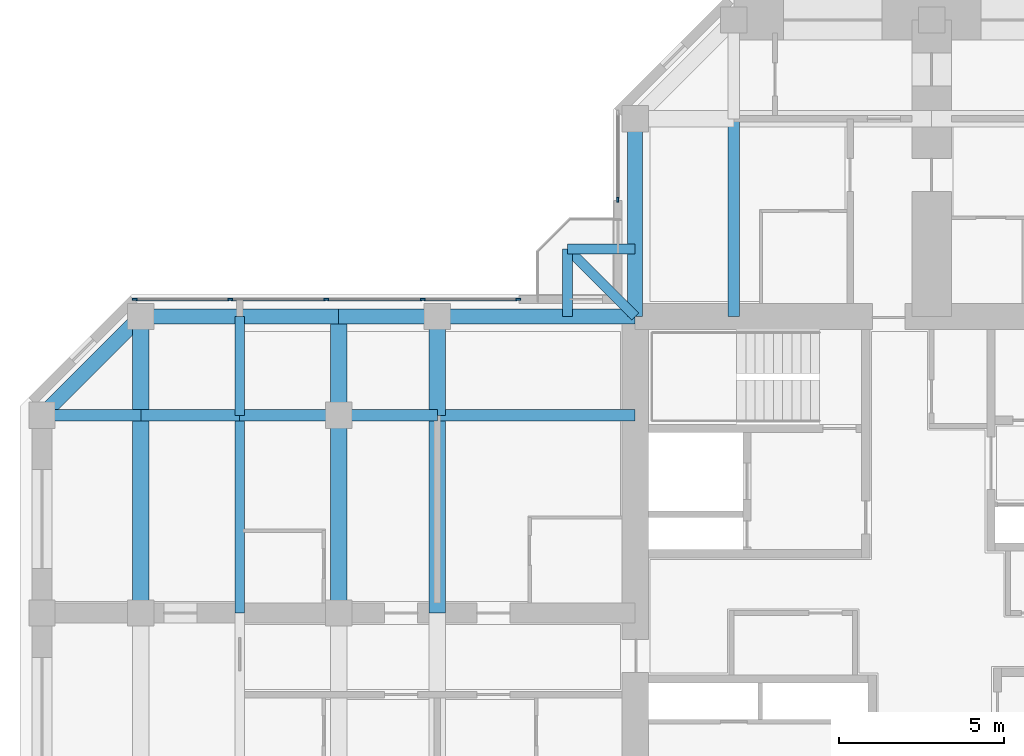
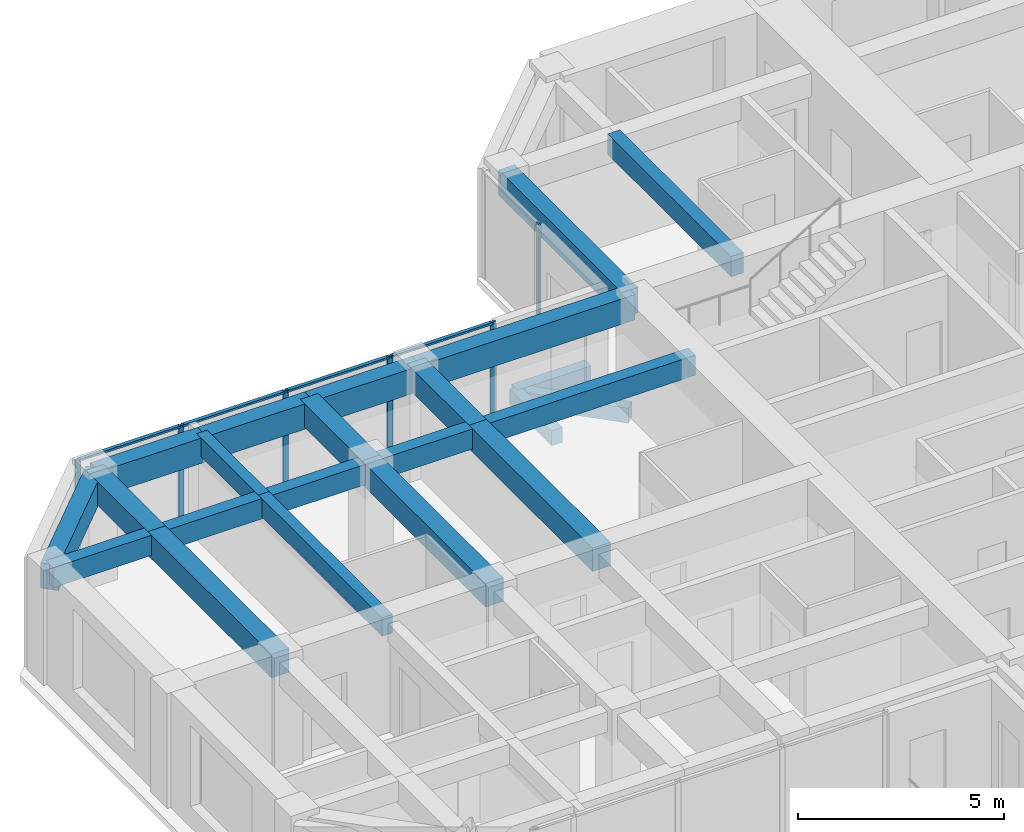
# One storey, part 4 of 14: 23 beams, 10 members, 2 elements without a shape of their own.
"""IFC4 building model written with IfcOpenShell, lengths in metres."""

from ifc_helpers import new_model, si_unit, direction, frame, origin, origin_2d, place, context, subcontext, project, spatial, rectangle, extrude, material, material_profile, profile_set, type_object, element, aggregate, save


model = new_model("IFC4")

# Units and contexts
model_context = context("Model", 3, precision=1e-05, world=origin(), true_north=direction((0.0, 1.0)))
body_context = subcontext(model_context, "Body", "Model", "MODEL_VIEW")
ifc_project = project(units=[si_unit("LENGTHUNIT", "METRE"), si_unit("AREAUNIT", "SQUARE_METRE"), si_unit("VOLUMEUNIT", "CUBIC_METRE"), si_unit("PLANEANGLEUNIT", "RADIAN"), si_unit("MASSUNIT", "GRAM", prefix="KILO")], contexts=[model_context])

# Site, building, storey
site_placement = place(None, origin())
site = spatial("IfcSite", under=ifc_project, at=site_placement, CompositionType="ELEMENT")
building_placement = place(site_placement, origin())
building = spatial("IfcBuilding", under=site, at=building_placement, Name="Torre Cruceta", CompositionType="ELEMENT")
storey_placement = place(building_placement, frame((0.0, 0.0, 225.5)))
storey = spatial("IfcBuildingStorey", under=building, at=storey_placement, Name="L57", CompositionType="ELEMENT", Elevation=225.5)

# Beams
ifc_material_1 = material(Name="Concrete G60 (fck 60 MPa)", Category="concrete")
ifc_material_profile_1 = material_profile(ifc_material_1, rectangle(XDim=0.300048828125, YDim=0.449951171875, at=origin_2d()), Name="RC 300X450")
ifc_profile_set_1 = profile_set([ifc_material_profile_1], Name="Concrete G60 (fck 60 MPa)")
beam_type_1 = type_object("IfcBeamType", Name="BALCONY CANTILEVER BEAM RC 300X450", PredefinedType="BEAM", material=ifc_profile_set_1)
beam_1_placement = place(storey_placement, frame((-9.0, 9.0, -0.405029296875), z_axis=(-0.707106781187, 0.707106781187, 0.0), x_axis=(-0.707106781187, -0.707106781187, 0.0)))
element("IfcBeam", 1, at=beam_1_placement, inside=storey, type_object=beam_type_1, Name="BB1 balcony beam L57 N", PredefinedType="BEAM", context=body_context, shape_type="SweptSolid", body=[
    extrude(rectangle(XDim=0.300048828125, YDim=0.449951171875, at=origin_2d()), origin(), (0.0, 0.0, 1.0), 2.89990234375),
])
for number, where, z_axis, x_axis, name in (
    (2, (-11.050537109375, 9.0, -0.405029296875), (0.0, 1.0, 0.0), (-1.0, 0.0, 0.0), "BB1 balcony edge beam L57 N-X"),
    (3, (-9.0, 11.050537109375, -0.405029296875), (-1.0, 0.0, 0.0), (0.0, -1.0, 0.0), "BB1 balcony edge beam L57 N-Y"),
):
    element("IfcBeam", number, at=place(storey_placement, frame(where, z_axis=z_axis, x_axis=x_axis)), inside=storey, type_object=beam_type_1, Name=name, PredefinedType="BEAM", context=body_context, shape_type="SweptSolid", body=[
        extrude(rectangle(XDim=0.300048828125, YDim=0.449951171875, at=origin_2d()), origin(), (0.0, 0.0, 1.0), 2.050537109375),
    ])
ifc_material_2 = material(Name="Concrete G60 (fck 60 MPa)", Category="concrete")
ifc_material_profile_2 = material_profile(ifc_material_2, rectangle(XDim=0.35009765625, YDim=0.60009765625, at=origin_2d()), Name="RC 350X600")
ifc_profile_set_2 = profile_set([ifc_material_profile_2], Name="Concrete G60 (fck 60 MPa)")
beam_type_2 = type_object("IfcBeamType", Name="COLUMN LINE BEAM RC 350X600", PredefinedType="BEAM", material=ifc_profile_set_2)
for number, where, z_axis, x_axis, name in (
    (4, (-6.0, 9.0, 2.919921875), (0.0, 1.0, 0.0), (-1.0, 0.0, 0.0), "LB9 L57 N col+ 1"),
    (5, (-9.0, 6.0, 2.919921875), (-1.0, 0.0, 0.0), (0.0, -1.0, 0.0), "LB9 L57 W col- 1"),
):
    element("IfcBeam", number, at=place(storey_placement, frame(where, z_axis=z_axis, x_axis=x_axis)), inside=storey, type_object=beam_type_2, Name=name, PredefinedType="BEAM", context=body_context, shape_type="SweptSolid", body=[
        extrude(rectangle(XDim=0.35009765625, YDim=0.60009765625, at=origin_2d()), origin(), (0.0, 0.0, 1.0), 6.0),
    ])
for number, where, z_axis, x_axis, name in (
    (6, (-15.0, 6.0, 2.919921875), (-1.0, 0.0, 0.0), (0.0, -1.0, 0.0), "LB9 L57 W col- 2"),
    (7, (-18.0, 6.0, 2.919921875), (-1.0, 0.0, 0.0), (0.0, -1.0, 0.0), "LB9 L57 W col- 3"),
    (8, (-21.0, 6.0, 2.919921875), (-1.0, 0.0, 0.0), (0.0, -1.0, 0.0), "LB9 L57 W col- 4"),
    (9, (-24.0, 6.0, 2.919921875), (-1.0, 0.0, 0.0), (0.0, -1.0, 0.0), "LB9 L57 W col- 5"),
):
    element("IfcBeam", number, at=place(storey_placement, frame(where, z_axis=z_axis, x_axis=x_axis)), inside=storey, type_object=beam_type_2, Name=name, PredefinedType="BEAM", context=body_context, shape_type="SweptSolid", body=[
        extrude(rectangle(XDim=0.35009765625, YDim=0.60009765625, at=origin_2d()), origin(), (0.0, 0.0, 1.0), 3.0),
    ])
ifc_material_3 = material(Name="Concrete G60 (fck 60 MPa)", Category="concrete")
ifc_material_profile_3 = material_profile(ifc_material_3, rectangle(XDim=0.5, YDim=0.699951171875, at=origin_2d()), Name="RC 500X700")
ifc_profile_set_3 = profile_set([ifc_material_profile_3], Name="Concrete G60 (fck 60 MPa)")
beam_type_3 = type_object("IfcBeamType", Name="CROSS BEAM RC 500X700", PredefinedType="BEAM", material=ifc_profile_set_3)
beam_2_placement = place(storey_placement, frame((-15.0, 9.0, 2.8701171875), z_axis=(0.0, -1.0, 0.0), x_axis=(1.0, 0.0, 0.0)))
element("IfcBeam", 10, at=beam_2_placement, inside=storey, type_object=beam_type_3, Name="GB7 L57 W cross15 1", PredefinedType="BEAM", context=body_context, shape_type="SweptSolid", body=[
    extrude(rectangle(XDim=0.5, YDim=0.699951171875, at=origin_2d()), origin(), (0.0, 0.0, 1.0), 3.0),
])
beam_3_placement = place(storey_placement, frame((-15.0, 6.0, 2.8701171875), z_axis=(0.0, -1.0, 0.0), x_axis=(1.0, 0.0, 0.0)))
element("IfcBeam", 11, at=beam_3_placement, inside=storey, type_object=beam_type_3, Name="GB7 L57 W cross15 2", PredefinedType="BEAM", context=body_context, shape_type="SweptSolid", body=[
    extrude(rectangle(XDim=0.5, YDim=0.699951171875, at=origin_2d()), origin(), (0.0, 0.0, 1.0), 6.0),
])
beam_4_placement = place(storey_placement, frame((-18.0, 9.0, 2.8701171875), z_axis=(0.0, -1.0, 0.0), x_axis=(1.0, 0.0, 0.0)))
element("IfcBeam", 12, at=beam_4_placement, inside=storey, type_object=beam_type_3, Name="GB7 L57 W cross18 1", PredefinedType="BEAM", context=body_context, shape_type="SweptSolid", body=[
    extrude(rectangle(XDim=0.5, YDim=0.699951171875, at=origin_2d()), origin(), (0.0, 0.0, 1.0), 3.0),
])
beam_5_placement = place(storey_placement, frame((-18.0, 6.0, 2.8701171875), z_axis=(0.0, -1.0, 0.0), x_axis=(1.0, 0.0, 0.0)))
element("IfcBeam", 13, at=beam_5_placement, inside=storey, type_object=beam_type_3, Name="GB7 L57 W cross18 2", PredefinedType="BEAM", context=body_context, shape_type="SweptSolid", body=[
    extrude(rectangle(XDim=0.5, YDim=0.699951171875, at=origin_2d()), origin(), (0.0, 0.0, 1.0), 6.0),
])
beam_6_placement = place(storey_placement, frame((-24.0, 9.0, 2.8701171875), z_axis=(0.0, -1.0, 0.0), x_axis=(1.0, 0.0, 0.0)))
element("IfcBeam", 14, at=beam_6_placement, inside=storey, type_object=beam_type_3, Name="GB7 L57 W cross24 1", PredefinedType="BEAM", context=body_context, shape_type="SweptSolid", body=[
    extrude(rectangle(XDim=0.5, YDim=0.699951171875, at=origin_2d()), origin(), (0.0, 0.0, 1.0), 3.0),
])
beam_7_placement = place(storey_placement, frame((-24.0, 6.0, 2.8701171875), z_axis=(0.0, -1.0, 0.0), x_axis=(1.0, 0.0, 0.0)))
element("IfcBeam", 15, at=beam_7_placement, inside=storey, type_object=beam_type_3, Name="GB7 L57 W cross24 2", PredefinedType="BEAM", context=body_context, shape_type="SweptSolid", body=[
    extrude(rectangle(XDim=0.5, YDim=0.699951171875, at=origin_2d()), origin(), (0.0, 0.0, 1.0), 6.0),
])

# Curtain wall, member
ifc_material_4 = material(Name="Aluminium unitised curtain wall", Category="aluminium")
curtain_wall_type = type_object("IfcCurtainWallType", Name="CURTAIN WALL CW-D CO-LIVING UPPER", PredefinedType="USERDEFINED", material=ifc_material_4)
curtain_wall_1_placement = place(storey_placement, origin())
curtain_wall_1 = element("IfcCurtainWall", 16, at=curtain_wall_1_placement, inside=storey, type_object=curtain_wall_type, Name="CW-D L57 N side 09", ObjectType="UNITISED", PredefinedType="USERDEFINED")
ifc_material_5 = material(Name="Aluminium mullion", Category="aluminium")
ifc_material_profile_4 = material_profile(ifc_material_5, rectangle(XDim=0.06005859375, YDim=0.14990234375, at=origin_2d()), Name="AL 60X150")
ifc_profile_set_4 = profile_set([ifc_material_profile_4], Name="Aluminium mullion")
member_type_1 = type_object("IfcMemberType", Name="CW-D MULLION 60X150", PredefinedType="MULLION", material=ifc_profile_set_4)
member_1_placement = place(storey_placement, frame((-9.52001953125, 12.550048828125, 0.0), z_axis=(0.0, 0.0, 1.0), x_axis=(1.0, 0.0, 0.0)))
member_1 = element("IfcMember", 17, at=member_1_placement, type_object=member_type_1, Name="CW-D mullion 2", PredefinedType="MULLION", context=body_context, shape_type="SweptSolid", body=[
    extrude(rectangle(XDim=0.06005859375, YDim=0.14990234375, at=origin_2d()), origin(), (0.0, 0.0, 1.0), 3.219970703125),
])
aggregate(curtain_wall_1, [member_1])

# Curtain wall, members
curtain_wall_2_placement = place(storey_placement, origin())
curtain_wall_2 = element("IfcCurtainWall", 18, at=curtain_wall_2_placement, inside=storey, type_object=curtain_wall_type, Name="CW-D L57 W side 10", ObjectType="UNITISED", PredefinedType="USERDEFINED")
member_2_placement = place(storey_placement, frame((-12.550048828125, 9.52001953125, 0.0), z_axis=(0.0, 0.0, 1.0), x_axis=(0.0, -1.0, 0.0)))
member_2 = element("IfcMember", 19, at=member_2_placement, type_object=member_type_1, Name="CW-D mullion 1", PredefinedType="MULLION", context=body_context, shape_type="SweptSolid", body=[
    extrude(rectangle(XDim=0.06005859375, YDim=0.14990234375, at=origin_2d()), origin(), (0.0, 0.0, 1.0), 3.219970703125),
])
member_3_placement = place(storey_placement, frame((-15.44384765625, 9.52001953125, 0.0), z_axis=(0.0, 0.0, 1.0), x_axis=(0.0, -1.0, 0.0)))
member_3 = element("IfcMember", 20, at=member_3_placement, type_object=member_type_1, Name="CW-D mullion 2", PredefinedType="MULLION", context=body_context, shape_type="SweptSolid", body=[
    extrude(rectangle(XDim=0.06005859375, YDim=0.14990234375, at=origin_2d()), origin(), (0.0, 0.0, 1.0), 3.219970703125),
])
member_4_placement = place(storey_placement, frame((-18.36767578125, 9.52001953125, 0.0), z_axis=(0.0, 0.0, 1.0), x_axis=(0.0, -1.0, 0.0)))
member_4 = element("IfcMember", 21, at=member_4_placement, type_object=member_type_1, Name="CW-D mullion 3", PredefinedType="MULLION", context=body_context, shape_type="SweptSolid", body=[
    extrude(rectangle(XDim=0.06005859375, YDim=0.14990234375, at=origin_2d()), origin(), (0.0, 0.0, 1.0), 3.219970703125),
])
member_5_placement = place(storey_placement, frame((-21.29150390625, 9.52001953125, 0.0), z_axis=(0.0, 0.0, 1.0), x_axis=(0.0, -1.0, 0.0)))
member_5 = element("IfcMember", 22, at=member_5_placement, type_object=member_type_1, Name="CW-D mullion 4", PredefinedType="MULLION", context=body_context, shape_type="SweptSolid", body=[
    extrude(rectangle(XDim=0.06005859375, YDim=0.14990234375, at=origin_2d()), origin(), (0.0, 0.0, 1.0), 3.219970703125),
])
member_6_placement = place(storey_placement, frame((-24.185302734375, 9.52001953125, 0.0), z_axis=(0.0, 0.0, 1.0), x_axis=(0.0, -1.0, 0.0)))
member_6 = element("IfcMember", 23, at=member_6_placement, type_object=member_type_1, Name="CW-D mullion 5", PredefinedType="MULLION", context=body_context, shape_type="SweptSolid", body=[
    extrude(rectangle(XDim=0.06005859375, YDim=0.14990234375, at=origin_2d()), origin(), (0.0, 0.0, 1.0), 3.219970703125),
])
ifc_material_6 = material(Name="Aluminium transom", Category="aluminium")
ifc_material_profile_5 = material_profile(ifc_material_6, rectangle(XDim=0.10009765625, YDim=0.06005859375, at=origin_2d()), Name="AL 100X60")
ifc_profile_set_5 = profile_set([ifc_material_profile_5], Name="Aluminium transom")
member_type_2 = type_object("IfcMemberType", Name="CW-D TRANSOM 60X100", PredefinedType="USERDEFINED", material=ifc_profile_set_5)
member_7_placement = place(storey_placement, frame((-12.580078125, 9.52001953125, 3.18994140625), z_axis=(-1.0, 0.0, 0.0), x_axis=(0.0, -1.0, 0.0)))
member_7 = element("IfcMember", 24, at=member_7_placement, type_object=member_type_2, Name="CW-D transom 1", ObjectType="TRANSOM", PredefinedType="USERDEFINED", context=body_context, shape_type="SweptSolid", body=[
    extrude(rectangle(XDim=0.10009765625, YDim=0.06005859375, at=origin_2d()), origin(), (0.0, 0.0, 1.0), 2.833740234375),
])
member_8_placement = place(storey_placement, frame((-15.473876953125, 9.52001953125, 3.18994140625), z_axis=(-1.0, 0.0, 0.0), x_axis=(0.0, -1.0, 0.0)))
member_8 = element("IfcMember", 25, at=member_8_placement, type_object=member_type_2, Name="CW-D transom 2", ObjectType="TRANSOM", PredefinedType="USERDEFINED", context=body_context, shape_type="SweptSolid", body=[
    extrude(rectangle(XDim=0.10009765625, YDim=0.06005859375, at=origin_2d()), origin(), (0.0, 0.0, 1.0), 2.86376953125),
])
member_9_placement = place(storey_placement, frame((-18.397705078125, 9.52001953125, 3.18994140625), z_axis=(-1.0, 0.0, 0.0), x_axis=(0.0, -1.0, 0.0)))
member_9 = element("IfcMember", 26, at=member_9_placement, type_object=member_type_2, Name="CW-D transom 3", ObjectType="TRANSOM", PredefinedType="USERDEFINED", context=body_context, shape_type="SweptSolid", body=[
    extrude(rectangle(XDim=0.10009765625, YDim=0.06005859375, at=origin_2d()), origin(), (0.0, 0.0, 1.0), 2.86376953125),
])
member_10_placement = place(storey_placement, frame((-21.321533203125, 9.52001953125, 3.18994140625), z_axis=(-1.0, 0.0, 0.0), x_axis=(0.0, -1.0, 0.0)))
member_10 = element("IfcMember", 27, at=member_10_placement, type_object=member_type_2, Name="CW-D transom 4", ObjectType="TRANSOM", PredefinedType="USERDEFINED", context=body_context, shape_type="SweptSolid", body=[
    extrude(rectangle(XDim=0.10009765625, YDim=0.06005859375, at=origin_2d()), origin(), (0.0, 0.0, 1.0), 2.833740234375),
])
aggregate(curtain_wall_2, [member_2, member_3, member_4, member_5, member_6, member_7, member_8, member_9, member_10])

# Beams
ifc_material_7 = material(Name="Concrete G60 (fck 60 MPa)", Category="concrete")
ifc_material_profile_6 = material_profile(ifc_material_7, rectangle(XDim=0.300048828125, YDim=0.550048828125, at=origin_2d()), Name="RC 300X550")
ifc_profile_set_6 = profile_set([ifc_material_profile_6], Name="Concrete G60 (fck 60 MPa)")
beam_type_4 = type_object("IfcBeamType", Name="SECONDARY BEAM RC 300X550", PredefinedType="JOIST", material=ifc_profile_set_6)
beam_8_placement = place(storey_placement, frame((-21.0, 9.0, 2.945068359375), z_axis=(0.0, -1.0, 0.0), x_axis=(1.0, 0.0, 0.0)))
element("IfcBeam", 28, at=beam_8_placement, inside=storey, type_object=beam_type_4, Name="JB7 L57 W sec21 1", PredefinedType="JOIST", context=body_context, shape_type="SweptSolid", body=[
    extrude(rectangle(XDim=0.300048828125, YDim=0.550048828125, at=origin_2d()), origin(), (0.0, 0.0, 1.0), 3.0),
])
beam_9_placement = place(storey_placement, frame((-21.0, 6.0, 2.945068359375), z_axis=(0.0, -1.0, 0.0), x_axis=(1.0, 0.0, 0.0)))
element("IfcBeam", 29, at=beam_9_placement, inside=storey, type_object=beam_type_4, Name="JB7 L57 W sec21 2", PredefinedType="JOIST", context=body_context, shape_type="SweptSolid", body=[
    extrude(rectangle(XDim=0.300048828125, YDim=0.550048828125, at=origin_2d()), origin(), (0.0, 0.0, 1.0), 6.0),
])
ifc_material_8 = material(Name="Concrete G60 (fck 60 MPa)", Category="concrete")
ifc_material_profile_7 = material_profile(ifc_material_8, rectangle(XDim=0.449951171875, YDim=0.75, at=origin_2d()), Name="RC 450X750")
ifc_profile_set_7 = profile_set([ifc_material_profile_7], Name="Concrete G60 (fck 60 MPa)")
beam_type_5 = type_object("IfcBeamType", Name="SPANDREL BEAM RC 450X750", PredefinedType="SPANDREL", material=ifc_profile_set_7)
for number, where, z_axis, x_axis, name in (
    (30, (-9.0, 9.0, 2.844970703125), (0.0, 1.0, 0.0), (-1.0, 0.0, 0.0), "SB7 L57 N side+ 1"),
    (31, (-9.0, 9.0, 2.844970703125), (-1.0, 0.0, 0.0), (0.0, -1.0, 0.0), "SB7 L57 W side- 1"),
):
    element("IfcBeam", number, at=place(storey_placement, frame(where, z_axis=z_axis, x_axis=x_axis)), inside=storey, type_object=beam_type_5, Name=name, PredefinedType="SPANDREL", context=body_context, shape_type="SweptSolid", body=[
        extrude(rectangle(XDim=0.449951171875, YDim=0.75, at=origin_2d()), origin(), (0.0, 0.0, 1.0), 6.0),
    ])
for number, where, z_axis, x_axis, name in (
    (32, (-15.0, 9.0, 2.844970703125), (-1.0, 0.0, 0.0), (0.0, -1.0, 0.0), "SB7 L57 W side- 2"),
    (33, (-18.0, 9.0, 2.844970703125), (-1.0, 0.0, 0.0), (0.0, -1.0, 0.0), "SB7 L57 W side- 3"),
    (34, (-21.0, 9.0, 2.844970703125), (-1.0, 0.0, 0.0), (0.0, -1.0, 0.0), "SB7 L57 W side- 4"),
):
    element("IfcBeam", number, at=place(storey_placement, frame(where, z_axis=z_axis, x_axis=x_axis)), inside=storey, type_object=beam_type_5, Name=name, PredefinedType="SPANDREL", context=body_context, shape_type="SweptSolid", body=[
        extrude(rectangle(XDim=0.449951171875, YDim=0.75, at=origin_2d()), origin(), (0.0, 0.0, 1.0), 3.0),
    ])
beam_10_placement = place(storey_placement, frame((-24.0, 9.0, 2.844970703125), z_axis=(-0.707106781187, -0.707106781187, 0.0), x_axis=(0.707106781187, -0.707106781187, 0.0)))
element("IfcBeam", 35, at=beam_10_placement, inside=storey, type_object=beam_type_5, Name="SB7 L57 W side- 5", PredefinedType="SPANDREL", context=body_context, shape_type="SweptSolid", body=[
    extrude(rectangle(XDim=0.449951171875, YDim=0.75, at=origin_2d()), origin(), (0.0, 0.0, 1.0), 4.24267578125),
])

save(model, "model.ifc")
